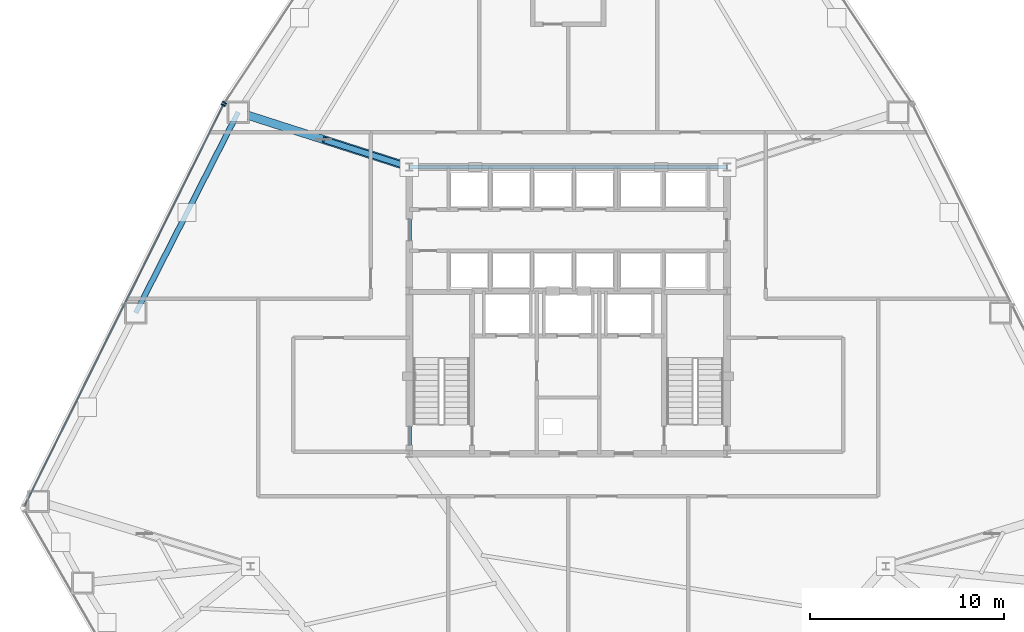
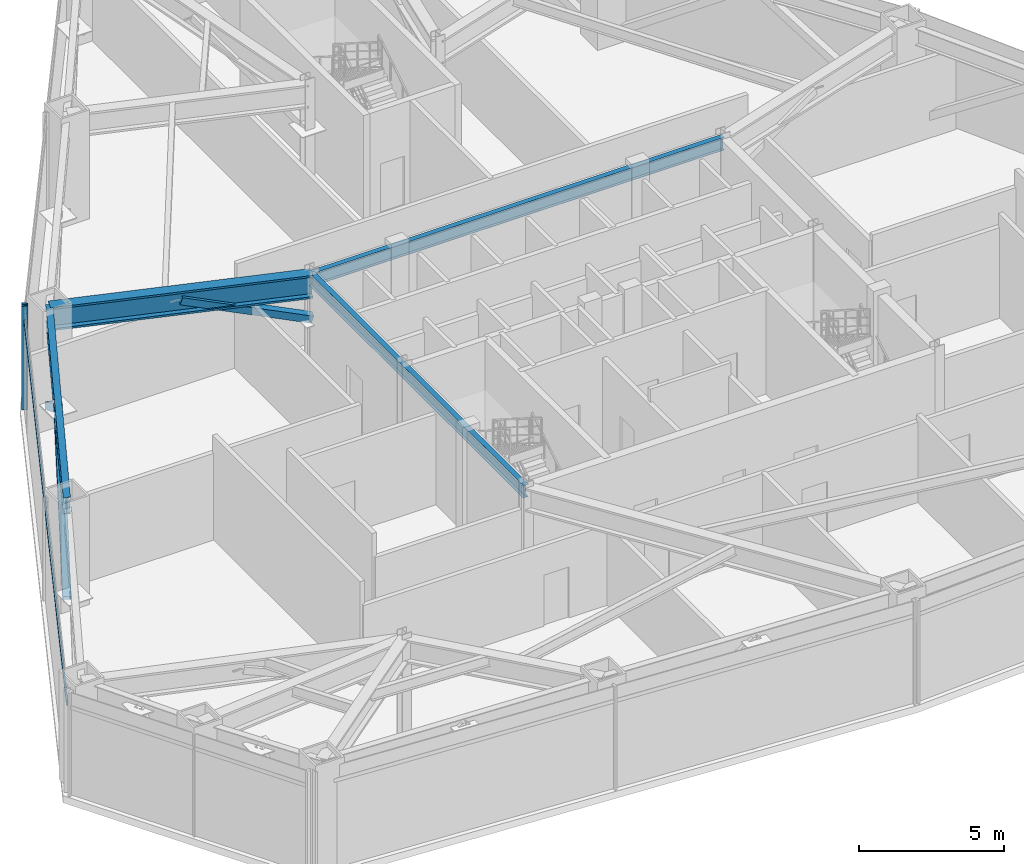
# One storey, part 5 of 12: 6 members, 4 beams, 2 elements without a shape of their own.
"""IFC4 building model written with IfcOpenShell, lengths in metres."""

from ifc_helpers import new_model, si_unit, direction, frame, origin, origin_2d, place, context, subcontext, project, spatial, rectangle, hollow_rectangle, i_section, extrude, source, transform, mapped, material, layer, layer_set, material_profile, profile_set, type_object, type_shapes, element, aggregate, save


model = new_model("IFC4")

# Units and contexts
model_context = context("Model", 3, precision=1e-05, world=origin(), true_north=direction((0.0, 1.0)))
body_context = subcontext(model_context, "Body", "Model", "MODEL_VIEW")
ifc_project = project(units=[si_unit("LENGTHUNIT", "METRE"), si_unit("AREAUNIT", "SQUARE_METRE"), si_unit("VOLUMEUNIT", "CUBIC_METRE"), si_unit("PLANEANGLEUNIT", "RADIAN"), si_unit("MASSUNIT", "GRAM", prefix="KILO")], contexts=[model_context])

# Site, building, storey
site_placement = place(None, origin())
site = spatial("IfcSite", under=ifc_project, at=site_placement, CompositionType="ELEMENT")
building_placement = place(site_placement, origin())
building = spatial("IfcBuilding", under=site, at=building_placement, Name="Varakhsha Concourse Tower", CompositionType="ELEMENT")
storey_placement = place(building_placement, frame((0.0, 0.0, 68.800048828125)))
storey = spatial("IfcBuildingStorey", under=building, at=storey_placement, Name="L19", CompositionType="ELEMENT", Elevation=68.800048828125)

# Beams
ifc_material_1 = material(Name="Structural Steel ASTM A992 Grade 50", Category="steel")
ifc_material_profile_1 = material_profile(ifc_material_1, i_section(OverallWidth=0.2109375, OverallDepth=0.5390625, WebThickness=0.011962890625, FlangeThickness=0.01904296875, at=origin_2d()), Name="W21X73")
ifc_profile_set_1 = profile_set([ifc_material_profile_1], Name="Structural Steel ASTM A992 Grade 50")
beam_type_1 = type_object("IfcBeamType", Name="BM-RAD-W21X73", PredefinedType="BEAM", material=ifc_profile_set_1)
beam_1_placement = place(storey_placement, frame((31.800048828125, 31.199951171875, 4.100341796875), z_axis=(1.0, 0.0, 0.0), x_axis=(0.0, 1.0, 0.0)))
element("IfcBeam", 1, at=beam_1_placement, inside=storey, type_object=beam_type_1, Name="BM-TCORE-L19-CN", PredefinedType="BEAM", context=body_context, shape_type="SweptSolid", body=[
    extrude(i_section(OverallWidth=0.2109375, OverallDepth=0.5390625, WebThickness=0.011962890625, FlangeThickness=0.01904296875, at=origin_2d()), origin(), (0.0, 0.0, 1.0), 16.39990234375),
])
beam_2_placement = place(storey_placement, frame((31.800048828125, 16.39990234375, 4.100341796875), z_axis=(0.0, 1.0, 0.0), x_axis=(-1.0, 0.0, 0.0)))
element("IfcBeam", 2, at=beam_2_placement, inside=storey, type_object=beam_type_1, Name="BM-TCORE-L19-CW", PredefinedType="BEAM", context=body_context, shape_type="SweptSolid", body=[
    extrude(i_section(OverallWidth=0.2109375, OverallDepth=0.5390625, WebThickness=0.011962890625, FlangeThickness=0.01904296875, at=origin_2d()), origin(), (0.0, 0.0, 1.0), 14.800048828125),
])
ifc_material_profile_2 = material_profile(ifc_material_1, i_section(OverallWidth=0.25390625, OverallDepth=0.701904296875, WebThickness=0.014892578125, FlangeThickness=0.028076171875, at=origin_2d()), Name="W27X129")
ifc_profile_set_2 = profile_set([ifc_material_profile_2], Name="Structural Steel ASTM A992 Grade 50")
beam_type_2 = type_object("IfcBeamType", Name="BM-SPAN-W27X129", PredefinedType="SPANDREL", material=ifc_profile_set_2)
beam_3_placement = place(storey_placement, frame((22.965087890625, 34.03515625, 4.01904296875), z_axis=(-0.454093687786, -0.890953939726, 0.0), x_axis=(0.890953939726, -0.454093687786, 0.0)))
element("IfcBeam", 3, at=beam_3_placement, inside=storey, type_object=beam_type_2, Name="BM-SPAN-L19-05", PredefinedType="SPANDREL", context=body_context, shape_type="SweptSolid", body=[
    extrude(i_section(OverallWidth=0.25390625, OverallDepth=0.701904296875, WebThickness=0.014892578125, FlangeThickness=0.028076171875, at=origin_2d()), origin(), (0.0, 0.0, 1.0), 11.630859375),
])
ifc_material_profile_3 = material_profile(ifc_material_1, i_section(OverallWidth=0.427978515625, OverallDepth=0.97509765625, WebThickness=0.050048828125, FlangeThickness=0.0810546875, at=origin_2d()), Name="W36X395")
ifc_profile_set_3 = profile_set([ifc_material_profile_3], Name="Structural Steel ASTM A992 Grade 50")
beam_type_3 = type_object("IfcBeamType", Name="BM-XFER-W36X395", PredefinedType="USERDEFINED", material=ifc_profile_set_3)
beam_4_placement = place(storey_placement, frame((31.800048828125, 31.199951171875, 3.882568359375), z_axis=(-0.952173002913, 0.305559441882, 0.0), x_axis=(-0.305559441882, -0.952173002913, 0.0)))
element("IfcBeam", 4, at=beam_4_placement, inside=storey, type_object=beam_type_3, Name="L19 Outrigger Top Chord 05", ObjectType="GIRDER", PredefinedType="USERDEFINED", context=body_context, shape_type="SweptSolid", body=[
    extrude(i_section(OverallWidth=0.427978515625, OverallDepth=0.97509765625, WebThickness=0.050048828125, FlangeThickness=0.0810546875, at=origin_2d()), origin(), (0.0, 0.0, 1.0), 9.27880859375),
])

# Members
ifc_material_2 = material(Name="Structural Steel ASTM A500 Grade C", Category="steel")
ifc_material_profile_4 = material_profile(ifc_material_2, hollow_rectangle(XDim=0.300048828125, YDim=0.300048828125, WallThickness=0.013916015625, at=origin_2d()), Name="HSS 300x300x14")
ifc_profile_set_4 = profile_set([ifc_material_profile_4], Name="Structural Steel ASTM A500 Grade C")
member_type_1 = type_object("IfcMemberType", Name="MB-BELT-HSS300", PredefinedType="BRACE", material=ifc_profile_set_4)
shared_shape_1 = source(origin(), body_context, "Body", "SweptSolid", [
    extrude(hollow_rectangle(XDim=0.300048828125, YDim=0.300048828125, WallThickness=0.013916015625, at=origin_2d()), origin(), (0.0, 0.0, 1.0), 7.030029296875),
])
member_1_placement = place(storey_placement, frame((22.965087890625, 34.03515625, 0.119873046875), z_axis=(-0.375620877351, -0.737003167451, 0.561903272517), x_axis=(0.890958103863, -0.454085517453, 0.0)))
element("IfcMember", 5, at=member_1_placement, inside=storey, type_object=member_type_1, Name="L19 Belt Truss Chevron 05A", PredefinedType="BRACE", context=body_context, shape_type="MappedRepresentation", body=[
    mapped(shared_shape_1, transform((0.0, 0.0, 0.0), scale=1.0)),
])
shared_shape_2 = source(origin(), body_context, "Body", "SweptSolid", [
    extrude(hollow_rectangle(XDim=0.300048828125, YDim=0.300048828125, WallThickness=0.013916015625, at=origin_2d()), origin(), (0.0, 0.0, 1.0), 7.0302734375),
])
type_shapes(member_type_1, [shared_shape_1, shared_shape_2])
member_2_placement = place(storey_placement, frame((17.68359375, 23.672607421875, 0.119873046875), z_axis=(0.375641090857, 0.737009417699, 0.561881561437), x_axis=(-0.890949775748, 0.45410185762, 0.0)))
element("IfcMember", 6, at=member_2_placement, inside=storey, type_object=member_type_1, Name="L19 Belt Truss Chevron 05B", PredefinedType="BRACE", context=body_context, shape_type="MappedRepresentation", body=[
    mapped(shared_shape_2, transform((0.0, 0.0, 0.0), scale=1.0)),
])
ifc_material_profile_5 = material_profile(ifc_material_2, hollow_rectangle(XDim=0.300048828125, YDim=0.300048828125, WallThickness=0.013916015625, at=origin_2d()), Name="HSS 300x300x14")
ifc_profile_set_5 = profile_set([ifc_material_profile_5], Name="Structural Steel ASTM A500 Grade C")
member_type_2 = type_object("IfcMemberType", Name="MB-OUTR-HSS300", PredefinedType="STRUT", material=ifc_profile_set_5)
shared_shape_3 = source(origin(), body_context, "Body", "SweptSolid", [
    extrude(hollow_rectangle(XDim=0.300048828125, YDim=0.300048828125, WallThickness=0.013916015625, at=origin_2d()), origin(), (0.0, 0.0, 1.0), 4.86669921875),
])
type_shapes(member_type_2, [shared_shape_3])
member_3_placement = place(storey_placement, frame((31.800048828125, 31.199951171875, 2.449951171875), z_axis=(-0.907692916358, 0.291310531961, 0.302045929556), x_axis=(-0.305583296792, -0.952165347365, 0.0)))
element("IfcMember", 7, at=member_3_placement, inside=storey, type_object=member_type_2, Name="L19 Outrigger Truss Strut 03", PredefinedType="STRUT", context=body_context, shape_type="MappedRepresentation", body=[
    mapped(shared_shape_3, transform((0.0, 0.0, 0.0), scale=1.0)),
])

# Curtain wall, member
ifc_material_3 = material(Name="Anodised Bronze Architectural Aluminium AA 6063-T6", Category="aluminium")
ifc_layer = layer(ifc_material_3, 0.260009765625, Name="CW-SYS-06")
ifc_layer_set = layer_set([ifc_layer], Name="Anodised Bronze Architectural Aluminium AA 6063-T6")
curtain_wall_type = type_object("IfcCurtainWallType", Name="CW-SYS-06", PredefinedType="NOTDEFINED", material=ifc_layer_set)
curtain_wall_1_placement = place(storey_placement, origin())
curtain_wall_1 = element("IfcCurtainWall", 8, at=curtain_wall_1_placement, inside=storey, type_object=curtain_wall_type, Name="L19 Crystal Curtain Wall F2", PredefinedType="NOTDEFINED")
ifc_material_profile_6 = material_profile(ifc_material_3, rectangle(XDim=0.074951171875, YDim=0.219970703125, at=origin_2d()), Name="CWM-220X75")
ifc_profile_set_6 = profile_set([ifc_material_profile_6], Name="Anodised Bronze Architectural Aluminium AA 6063-T6")
member_type_3 = type_object("IfcMemberType", Name="CWM-220X75", PredefinedType="MULLION", material=ifc_profile_set_6)
shared_shape_4 = source(origin(), body_context, "Body", "SweptSolid", [
    extrude(rectangle(XDim=0.074951171875, YDim=0.219970703125, at=origin_2d()), origin(), (0.0, 0.0, 1.0), 4.369873046875),
])
type_shapes(member_type_3, [shared_shape_4])
member_4_placement = place(storey_placement, frame((22.26611328125, 34.51904296875, 0.0), z_axis=(0.0, 0.0, 1.0), x_axis=(0.553881357741, 0.832595605049, 0.0)))
member_4 = element("IfcMember", 9, at=member_4_placement, type_object=member_type_3, Name="CW-L19-F2 Mullion 00", PredefinedType="MULLION", context=body_context, shape_type="MappedRepresentation", body=[
    mapped(shared_shape_4, transform((0.0, 0.0, 0.0), scale=1.0)),
])
aggregate(curtain_wall_1, [member_4])

# Curtain wall, members
curtain_wall_2_placement = place(storey_placement, origin())
curtain_wall_2 = element("IfcCurtainWall", 10, at=curtain_wall_2_placement, inside=storey, type_object=curtain_wall_type, Name="L19 Crystal Curtain Wall F3", PredefinedType="NOTDEFINED")
member_5_placement = place(storey_placement, frame((22.196533203125, 34.3984375, 0.0), z_axis=(0.0, 0.0, 1.0), x_axis=(0.444108266182, 0.895973129011, 0.0)))
member_5 = element("IfcMember", 11, at=member_5_placement, type_object=member_type_3, Name="CW-L19-F3 Mullion 02", PredefinedType="MULLION", context=body_context, shape_type="MappedRepresentation", body=[
    mapped(shared_shape_4, transform((0.0, 0.0, 0.0), scale=1.0)),
])
ifc_material_profile_7 = material_profile(ifc_material_3, rectangle(XDim=0.06494140625, YDim=0.159912109375, at=origin_2d()), Name="CWT-160X65")
ifc_profile_set_7 = profile_set([ifc_material_profile_7], Name="Anodised Bronze Architectural Aluminium AA 6063-T6")
member_type_4 = type_object("IfcMemberType", Name="CWT-160X65", PredefinedType="USERDEFINED", material=ifc_profile_set_7)
shared_shape_5 = source(origin(), body_context, "Body", "SweptSolid", [
    extrude(rectangle(XDim=0.06494140625, YDim=0.159912109375, at=origin_2d()), origin(), (0.0, 0.0, 1.0), 23.088134765625),
])
type_shapes(member_type_4, [shared_shape_5])
member_6_placement = place(storey_placement, frame((11.94287109375, 13.712158203125, 3.719970703125), z_axis=(0.444110520528, 0.895972011592, 0.0), x_axis=(-0.895972011592, 0.444110520528, 0.0)))
member_6 = element("IfcMember", 12, at=member_6_placement, type_object=member_type_4, Name="CW-L19-F3 Transom 01", ObjectType="TRANSOM", PredefinedType="USERDEFINED", context=body_context, shape_type="MappedRepresentation", body=[
    mapped(shared_shape_5, transform((0.0, 0.0, 0.0), scale=1.0)),
])
aggregate(curtain_wall_2, [member_5, member_6])

save(model, "model.ifc")
